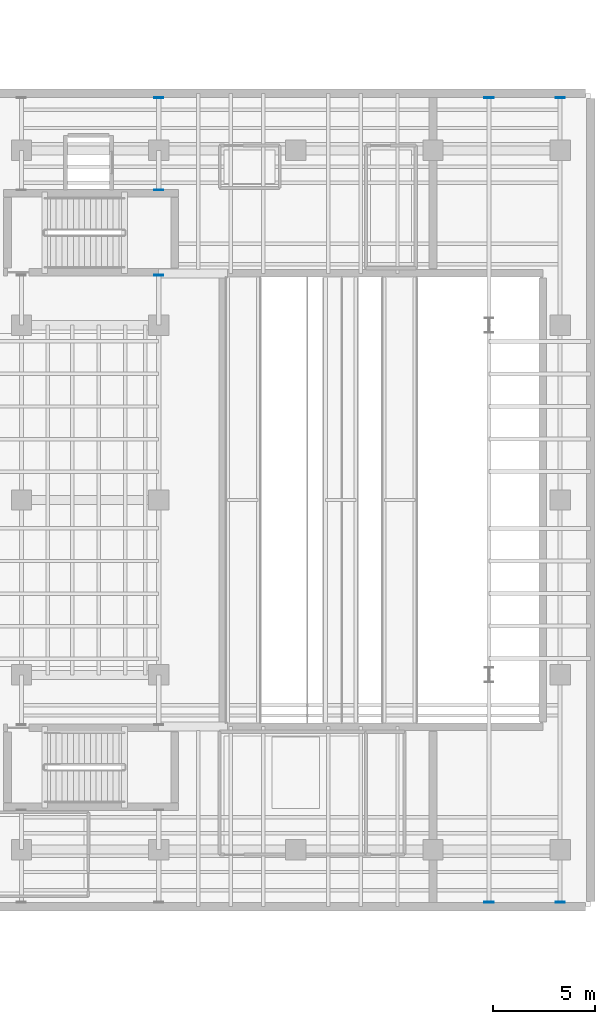
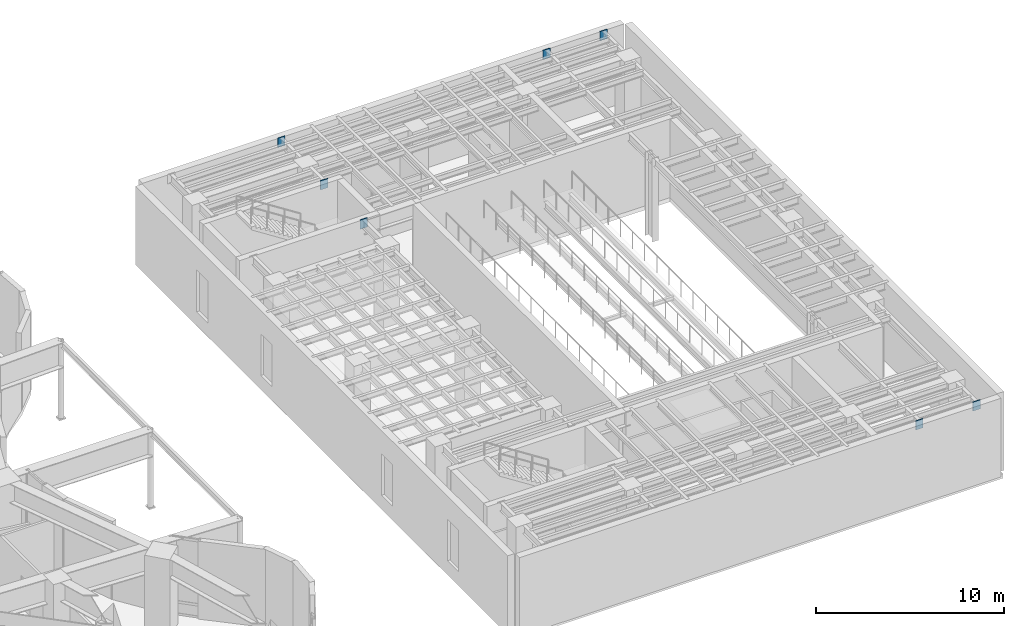
# One storey, part 14 of 23: 7 plates.
"""IFC4 building model written with IfcOpenShell, lengths in metres."""

from ifc_helpers import new_model, si_unit, direction, frame, origin, origin_2d, place, context, subcontext, project, spatial, rectangle, extrude, material, layer, layer_set, type_object, element, save


model = new_model("IFC4")

# Units and contexts
model_context = context("Model", 3, precision=1e-05, world=origin(), true_north=direction((0.0, 1.0)))
body_context = subcontext(model_context, "Body", "Model", "MODEL_VIEW")
ifc_project = project(units=[si_unit("LENGTHUNIT", "METRE"), si_unit("AREAUNIT", "SQUARE_METRE"), si_unit("VOLUMEUNIT", "CUBIC_METRE"), si_unit("PLANEANGLEUNIT", "RADIAN"), si_unit("MASSUNIT", "GRAM", prefix="KILO")], contexts=[model_context])

# Site, building, storey
site_placement = place(None, origin())
site = spatial("IfcSite", under=ifc_project, at=site_placement, CompositionType="ELEMENT")
building_placement = place(site_placement, origin())
building = spatial("IfcBuilding", under=site, at=building_placement, Name="Korentha Bioscience Tower", CompositionType="ELEMENT")
storey_placement = place(building_placement, frame((0.0, 0.0, 15.0)))
storey = spatial("IfcBuildingStorey", under=building, at=storey_placement, Name="L03", CompositionType="ELEMENT", Elevation=15.0)

# Plates
ifc_material = material(Name="Steel S355", Category="steel")
ifc_layer = layer(ifc_material, 0.0400390625, Name="Steel S355")
ifc_layer_set = layer_set([ifc_layer], Name="Steel S355 (EP-01)")
plate_type = type_object("IfcPlateType", Name="Cast-In Shear Wall Embed Plate 450x600x40", PredefinedType="USERDEFINED", material=ifc_layer_set)
for number, where, z_axis, x_axis, name in (
    (1, (73.25, 38.050048828125, 4.533447265625), (0.0, 0.0, 1.0), (1.0, 0.0, 0.0), "L03 Collector Shear-Wall Embed Plate B-2-6"),
    (2, (73.25, 42.25, 4.533447265625), (0.0, 0.0, 1.0), (1.0, 0.0, 0.0), "L03 Collector Shear-Wall Embed Plate A-2-7"),
    (3, (73.25, 46.7900390625, 4.533447265625), (0.0, 0.0, 1.0), (1.0, 0.0, 0.0), "L03 Collector Shear-Wall Embed Plate B-2-8"),
    (4, (89.5, 7.2099609375, 4.533447265625), (0.0, 0.0, 1.0), (1.0, 0.0, 0.0), "L03 Collector Shear-Wall Embed Plate A-3-1"),
    (5, (89.5, 46.7900390625, 4.533447265625), (0.0, 0.0, 1.0), (1.0, 0.0, 0.0), "L03 Collector Shear-Wall Embed Plate B-3-3"),
    (6, (93.0, 7.2099609375, 4.533447265625), (0.0, 0.0, 1.0), (1.0, 0.0, 0.0), "L03 Collector Shear-Wall Embed Plate A-4-1"),
    (7, (93.0, 46.7900390625, 4.533447265625), (0.0, 0.0, 1.0), (1.0, 0.0, 0.0), "L03 Collector Shear-Wall Embed Plate B-4-6"),
):
    element("IfcPlate", number, at=place(storey_placement, frame(where, z_axis=z_axis, x_axis=x_axis)), inside=storey, type_object=plate_type, Name=name, ObjectType="BASE_PLATE", PredefinedType="USERDEFINED", context=body_context, shape_type="SweptSolid", body=[
        extrude(rectangle(XDim=0.449951171875, YDim=0.0400390625, at=origin_2d()), origin(), (0.0, 0.0, 1.0), 0.60009765625),
    ])

save(model, "model.ifc")
